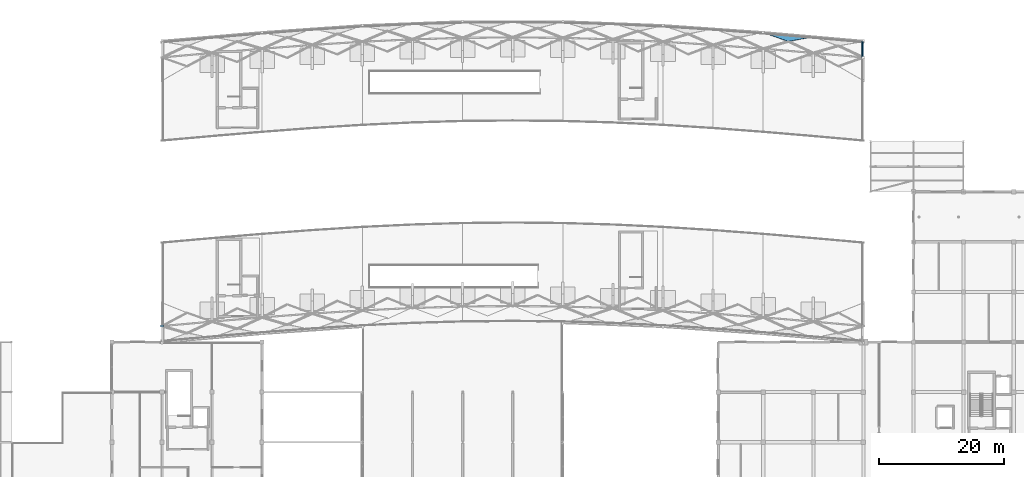
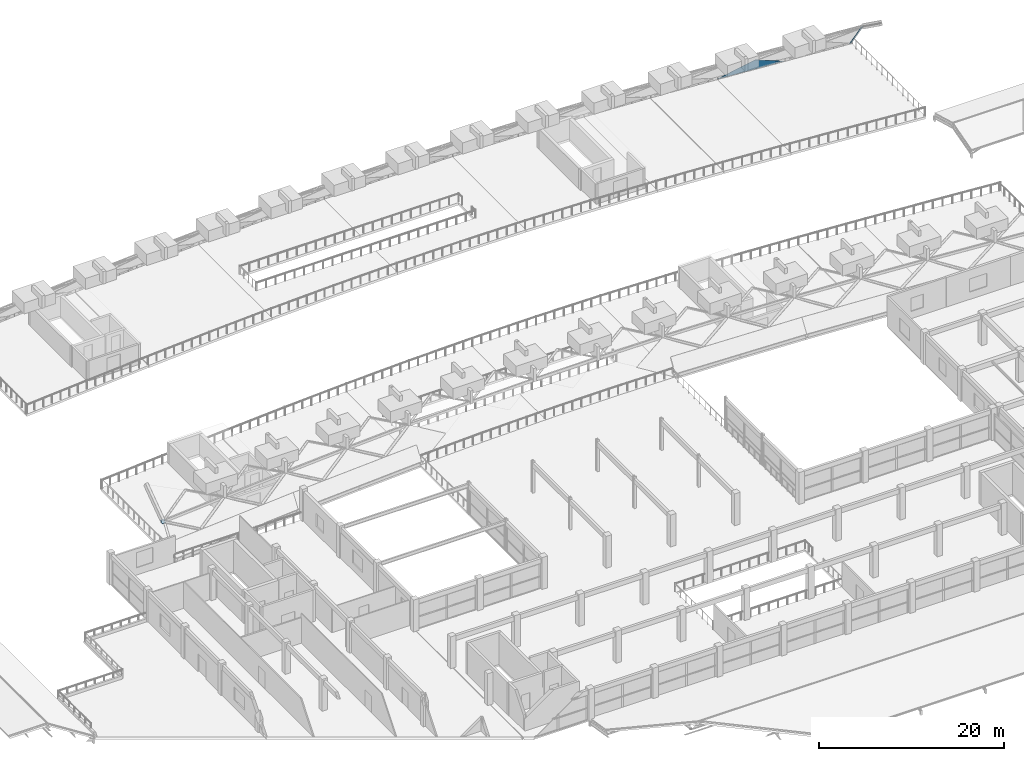
# One storey, part 39 of 67: 3 plates.
"""IFC4 building model written with IfcOpenShell, lengths in metres."""

from ifc_helpers import new_model, si_unit, direction, frame, origin, place, context, subcontext, project, spatial, polyline, outline, extrude, material, layer, layer_set, type_object, element, save


model = new_model("IFC4")

# Units and contexts
model_context = context("Model", 3, precision=1e-05, world=origin(), true_north=direction((0.0, 1.0)))
body_context = subcontext(model_context, "Body", "Model", "MODEL_VIEW")
ifc_project = project(units=[si_unit("LENGTHUNIT", "METRE"), si_unit("AREAUNIT", "SQUARE_METRE"), si_unit("VOLUMEUNIT", "CUBIC_METRE"), si_unit("PLANEANGLEUNIT", "RADIAN"), si_unit("MASSUNIT", "GRAM", prefix="KILO")], contexts=[model_context])

# Site, building, storey
site_placement = place(None, origin())
site = spatial("IfcSite", under=ifc_project, at=site_placement, CompositionType="ELEMENT")
building_placement = place(site_placement, origin())
building = spatial("IfcBuilding", under=site, at=building_placement, Name="Kenh Van Central Station", CompositionType="ELEMENT")
storey_placement = place(building_placement, frame((0.0, 0.0, 10.800048828125)))
storey = spatial("IfcBuildingStorey", under=building, at=storey_placement, Name="L02", CompositionType="ELEMENT", Elevation=10.800048828125)

# Plates
ifc_material_1 = material(Name="White fluoropolymer structural steel S355", Category="steel")
ifc_layer_1 = layer(ifc_material_1, 0.008056640625, Name="White fluoropolymer structural steel S355")
ifc_layer_set_1 = layer_set([ifc_layer_1], Name="White fluoropolymer structural steel S355")
plate_type_1 = type_object("IfcPlateType", Name="PLT-FASCIA-SH1", PredefinedType="SHEET", material=ifc_layer_set_1)
plate_1_placement = place(storey_placement, frame((144.0, 109.447509765625, 3.76171875), z_axis=(0.0, 0.827486468336, 0.561485658518), x_axis=(-1.0, 0.0, 0.0)))
element("IfcPlate", 1, at=plate_1_placement, inside=storey, type_object=plate_type_1, Name="Vault portal arch trim plate 24", PredefinedType="SHEET", context=body_context, shape_type="SweptSolid", body=[
    extrude(outline(polyline([(0.0, 0.0), (0.260009765625, 0.0), (0.260009765625, -4.54595802341831), (0.0, -4.54595802341831), (0.0, 0.0)])), origin(), (0.0, 0.0, -1.0), 0.008056640625),
])
ifc_layer_2 = layer(ifc_material_1, 0.02490234375, Name="White fluoropolymer structural steel S355")
ifc_layer_set_2 = layer_set([ifc_layer_2], Name="White fluoropolymer structural steel S355")
plate_type_2 = type_object("IfcPlateType", Name="PLT-GUSSET-NP25", PredefinedType="USERDEFINED", material=ifc_layer_set_2)
plate_2_placement = place(storey_placement, frame((31.780029296875, 66.394775390625, 3.608154296875), z_axis=(0.0, -0.698178312664, 0.715923909173), x_axis=(1.0, 0.0, 0.0)))
element("IfcPlate", 2, at=plate_2_placement, inside=storey, type_object=plate_type_2, Name="Vault node gusset plate NP-25 001", ObjectType="GUSSET_PLATE", PredefinedType="USERDEFINED", context=body_context, shape_type="SweptSolid", body=[
    extrude(outline(polyline([(0.0, 0.0), (0.43994140625, 0.0), (0.43994140625, 0.44025006405918193), (0.0, 0.44025006405918193), (0.0, 0.0)])), origin(), (0.0, 0.0, -1.0), 0.02490234375),
])
ifc_material_2 = material(Name="Double-glazed low-E laminated solar glass", Category="glass")
ifc_layer_3 = layer(ifc_material_2, 0.029052734375, Name="Double-glazed low-E laminated solar glass")
ifc_layer_set_3 = layer_set([ifc_layer_3], Name="Double-glazed low-E laminated solar glass")
plate_type_3 = type_object("IfcPlateType", Name="PLT-VAULT-GLZ4", PredefinedType="SHEET", material=ifc_layer_set_3)
plate_3_placement = place(storey_placement, frame((128.01171875, 113.386474609375, 0.001953125), z_axis=(0.07488173815, 0.885784268223, 0.45801632663), x_axis=(0.852740088, -0.29498250718, 0.431068048892)))
element("IfcPlate", 3, at=plate_3_placement, inside=storey, type_object=plate_type_3, Name="Vault border triangle skylight pane 299", PredefinedType="SHEET", context=body_context, shape_type="SweptSolid", body=[
    extrude(outline(polyline([(0.0, 0.0), (4.677018597019604, 2.220446049250313e-16), (7.000846152335314, 3.8818043592478992), (0.0, 0.0)])), origin(), (0.0, 0.0, -1.0), 0.029052734375),
])

save(model, "model.ifc")
